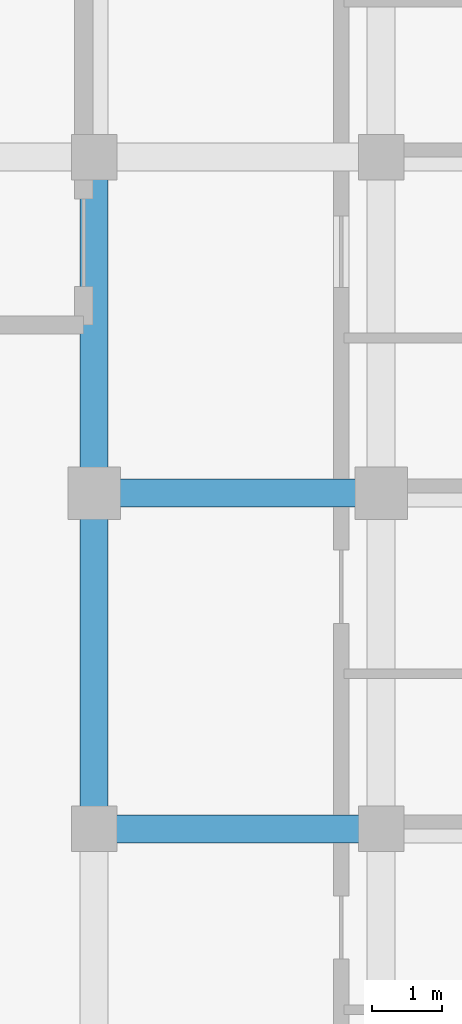
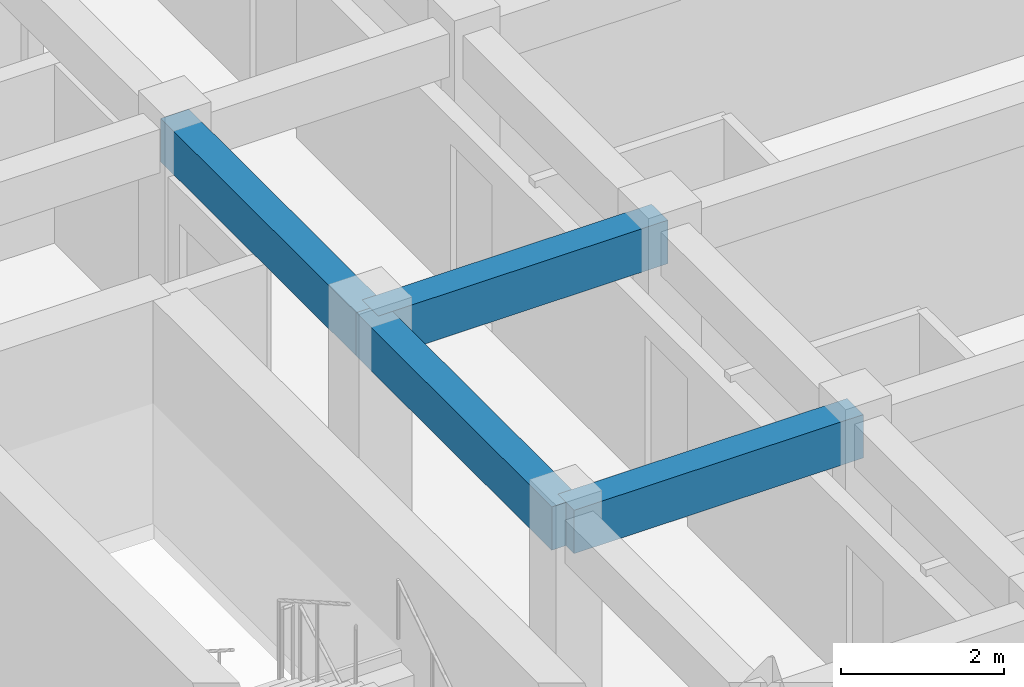
# One storey, part 26 of 64: 4 beams.
"""IFC4 building model written with IfcOpenShell, lengths in metres."""

from ifc_helpers import new_model, si_unit, direction, frame, origin, origin_2d, place, context, subcontext, project, spatial, rectangle, extrude, material, material_profile, profile_set, type_object, element, save


model = new_model("IFC4")

# Units and contexts
model_context = context("Model", 3, precision=1e-05, world=origin(), true_north=direction((0.0, 1.0)))
body_context = subcontext(model_context, "Body", "Model", "MODEL_VIEW")
ifc_project = project(units=[si_unit("LENGTHUNIT", "METRE"), si_unit("AREAUNIT", "SQUARE_METRE"), si_unit("VOLUMEUNIT", "CUBIC_METRE"), si_unit("PLANEANGLEUNIT", "RADIAN"), si_unit("MASSUNIT", "GRAM", prefix="KILO")], contexts=[model_context])

# Site, building, storey
site_placement = place(None, origin())
site = spatial("IfcSite", under=ifc_project, at=site_placement, CompositionType="ELEMENT")
building_placement = place(site_placement, origin())
building = spatial("IfcBuilding", under=site, at=building_placement, Name="Nakhvara Creek Congress Hotel", CompositionType="ELEMENT")
storey_placement = place(building_placement, frame((0.0, 0.0, 28.199951171875)))
storey = spatial("IfcBuildingStorey", under=building, at=storey_placement, Name="L06", CompositionType="ELEMENT", Elevation=28.199951171875)

# Beams
ifc_material = material(Name="Concrete C40/50", Category="concrete")
ifc_material_profile = material_profile(ifc_material, rectangle(XDim=0.39990234375, YDim=0.64990234375, at=origin_2d()), Name="RC-BM 400x650", Category="LoadBearing")
ifc_profile_set = profile_set([ifc_material_profile], Name="Concrete C40/50")
beam_type = type_object("IfcBeamType", Name="BM-RC-400X650", PredefinedType="BEAM", material=ifc_profile_set)
beam_1_placement = place(storey_placement, frame((162.35009765625, 86.39990234375, 3.01513671875), z_axis=(1.0, 0.0, 0.0), x_axis=(0.0, 1.0, 0.0)))
element("IfcBeam", 1, at=beam_1_placement, inside=storey, type_object=beam_type, Name="Beam B06-L06-2233", PredefinedType="BEAM", context=body_context, shape_type="SweptSolid", body=[
    extrude(rectangle(XDim=0.39990234375, YDim=0.64990234375, at=origin_2d()), origin(), (0.0, 0.0, 1.0), 4.099853515625),
])
beam_2_placement = place(storey_placement, frame((162.35009765625, 81.60009765625, 3.01513671875), z_axis=(0.0, 1.0, 0.0), x_axis=(-1.0, 0.0, 0.0)))
element("IfcBeam", 2, at=beam_2_placement, inside=storey, type_object=beam_type, Name="Beam B06-L06-2234", PredefinedType="BEAM", context=body_context, shape_type="SweptSolid", body=[
    extrude(rectangle(XDim=0.39990234375, YDim=0.64990234375, at=origin_2d()), origin(), (0.0, 0.0, 1.0), 4.7998046875),
])
beam_3_placement = place(storey_placement, frame((162.35009765625, 86.39990234375, 3.01513671875), z_axis=(0.0, 1.0, 0.0), x_axis=(-1.0, 0.0, 0.0)))
element("IfcBeam", 3, at=beam_3_placement, inside=storey, type_object=beam_type, Name="Beam B06-L06-2235", PredefinedType="BEAM", context=body_context, shape_type="SweptSolid", body=[
    extrude(rectangle(XDim=0.39990234375, YDim=0.64990234375, at=origin_2d()), origin(), (0.0, 0.0, 1.0), 4.800048828125),
])
beam_4_placement = place(storey_placement, frame((162.35009765625, 81.60009765625, 3.01513671875), z_axis=(1.0, 0.0, 0.0), x_axis=(0.0, 1.0, 0.0)))
element("IfcBeam", 4, at=beam_4_placement, inside=storey, type_object=beam_type, Name="Beam B06-L06-2304", PredefinedType="BEAM", context=body_context, shape_type="SweptSolid", body=[
    extrude(rectangle(XDim=0.39990234375, YDim=0.64990234375, at=origin_2d()), origin(), (0.0, 0.0, 1.0), 4.099853515625),
])

save(model, "model.ifc")
